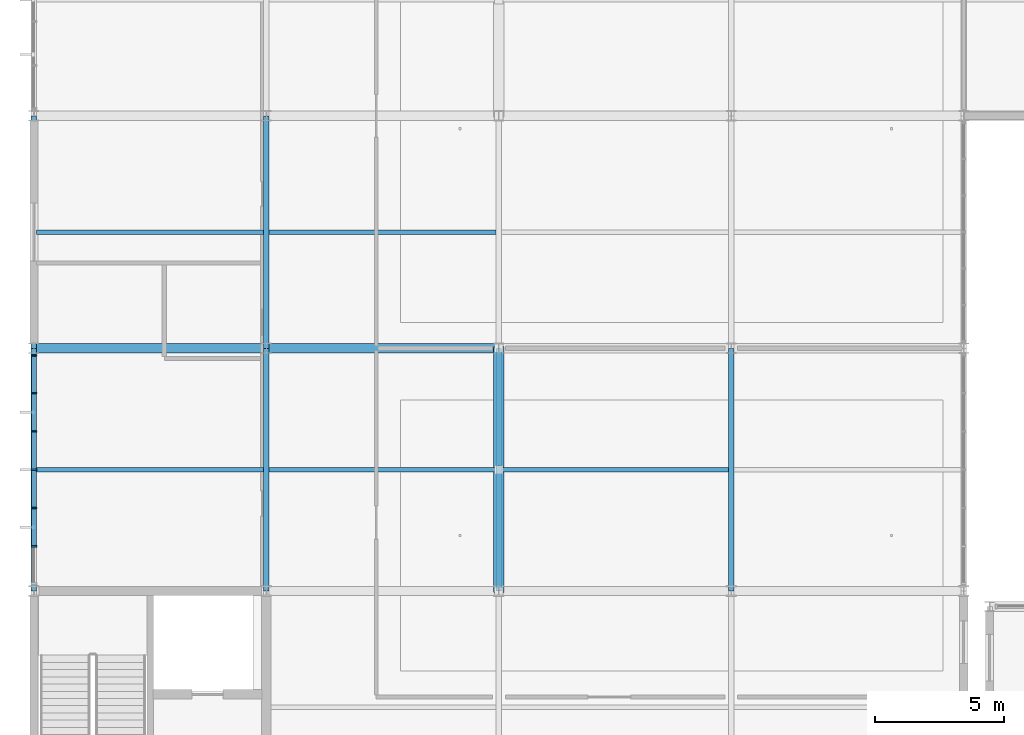
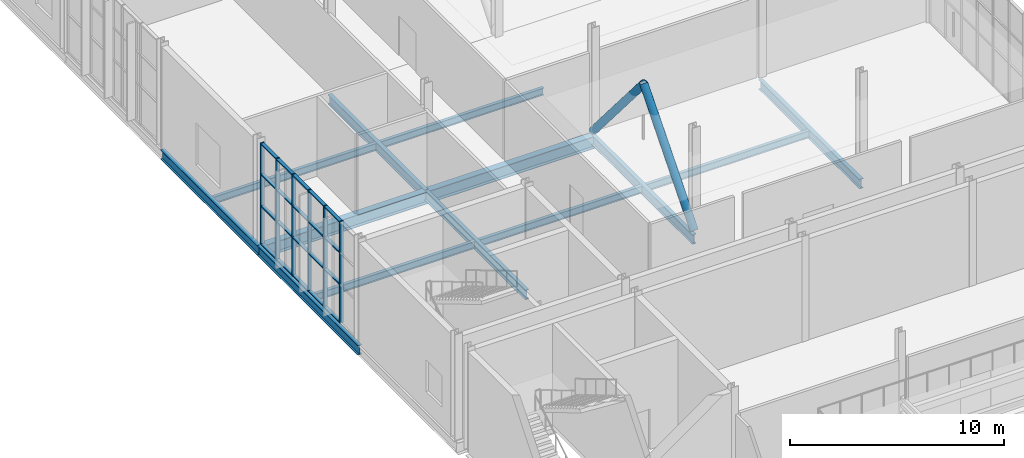
# One storey, part 47 of 159: 28 members, 13 beams, 1 element without a shape of its own.
"""IFC4 building model written with IfcOpenShell, lengths in metres."""

import ifcopenshell
import ifcopenshell.guid

model = None  # the IFC model being written
_history = None  # IfcOwnerHistory: only IFC2X3 demands one
_inside = {}  # id of a spatial element -> (the spatial element, [elements in it])
_under = {}  # id of a project, library or spatial element -> (it, [spatial elements below it])
_declared = {}  # id of a project -> (the project, [libraries it declares])
_typed = {}  # id of a type object -> (the type object, [elements of that type])
_made_of = {}  # id of a material, layer set ... -> (it, [elements and type objects made of it])


def new_model(schema):
    """Start an empty IFC model of exactly this schema.

    Asked for "IFC4X3", IfcOpenShell would pick the latest addendum, in which some entities
    have other attributes; the version numbers below select the first issue.
    IFC2X3 requires an IfcOwnerHistory on every rooted entity: one is made here for all.
    """
    global model, _history
    if schema == "IFC4X3":
        model = ifcopenshell.file(schema_version=(4, 3, 0, 0))
    else:
        model = ifcopenshell.file(schema=schema)
    _inside.clear()
    _under.clear()
    _declared.clear()
    _typed.clear()
    _made_of.clear()
    _history = None
    if model.schema == "IFC2X3":
        org = make("IfcOrganization", Name="unknown")
        user = make(
            "IfcPersonAndOrganization",
            ThePerson=make("IfcPerson", FamilyName="unknown"),
            TheOrganization=org,
        )
        app = make(
            "IfcApplication",
            ApplicationDeveloper=org,
            Version="unknown",
            ApplicationFullName="unknown",
            ApplicationIdentifier="unknown",
        )
        _history = make(
            "IfcOwnerHistory",
            OwningUser=user,
            OwningApplication=app,
            ChangeAction="ADDED",
            CreationDate=0,
        )
    return model


def make(cls, **values):
    """One entity of the class cls with the attributes given. An attribute that is None is left unset."""
    return model.create_entity(
        cls, **{name: value for name, value in values.items() if value is not None}
    )


def rooted(cls, **values):
    """An entity with a GlobalId (a new one), such as an element, a storey or a relation."""
    return make(cls, GlobalId=ifcopenshell.guid.new(), OwnerHistory=_history, **values)


def si_unit(unit_type, name, prefix=None):
    """IfcSIUnit, for example si_unit("LENGTHUNIT", "METRE", prefix="MILLI")."""
    return make("IfcSIUnit", UnitType=unit_type, Prefix=prefix, Name=name)


def assignment(units):
    """IfcUnitAssignment: the units of a project."""
    return None if units is None else make("IfcUnitAssignment", Units=units)


def point(xyz):
    """IfcCartesianPoint."""
    return None if xyz is None else make("IfcCartesianPoint", Coordinates=xyz)


def direction(xyz):
    """IfcDirection."""
    return None if xyz is None else make("IfcDirection", DirectionRatios=xyz)


def frame(location, z_axis=None, x_axis=None):
    """IfcAxis2Placement3D, a coordinate frame: its origin and axes. An axis left out is left unset."""
    return make(
        "IfcAxis2Placement3D",
        Location=point(location),
        Axis=direction(z_axis),
        RefDirection=direction(x_axis),
    )


def frame_2d(location, x_axis=None):
    """IfcAxis2Placement2D, a coordinate frame in the plane: its origin and x axis."""
    return make(
        "IfcAxis2Placement2D", Location=point(location), RefDirection=direction(x_axis)
    )


def origin():
    """The frame at (0, 0, 0) with its axes left unset."""
    return frame((0.0, 0.0, 0.0))


def origin_2d():
    """The frame at (0, 0) in the plane with its x axis left unset."""
    return frame_2d((0.0, 0.0))


def place(relative_to, where):
    """IfcLocalPlacement: puts the frame where relative to a parent placement (None: the world)."""
    return make(
        "IfcLocalPlacement", PlacementRelTo=relative_to, RelativePlacement=where
    )


def context(
    kind, dimensions, precision=None, world=None, true_north=None, identifier=None
):
    """IfcGeometricRepresentationContext, for example the 3D "Model" context."""
    return make(
        "IfcGeometricRepresentationContext",
        ContextIdentifier=identifier,
        ContextType=kind,
        CoordinateSpaceDimension=dimensions,
        Precision=precision,
        WorldCoordinateSystem=world,
        TrueNorth=true_north,
    )


def subcontext(parent, identifier, kind, view, scale=None):
    """IfcGeometricRepresentationSubContext, for example "Body" below "Model"."""
    return make(
        "IfcGeometricRepresentationSubContext",
        ContextIdentifier=identifier,
        ContextType=kind,
        ParentContext=parent,
        TargetScale=scale,
        TargetView=view,
    )


def project(units=None, contexts=None):
    """IfcProject with its units and contexts."""
    return rooted(
        "IfcProject",
        Name="project",
        RepresentationContexts=contexts,
        UnitsInContext=assignment(units),
    )


def spatial(cls, under=None, at=None, **own):
    """A site, building, storey or space (cls), placed at a placement, below another one or the project."""
    s = rooted(cls, ObjectPlacement=at, **own)
    if under is not None:
        _under.setdefault(under.id(), (under, []))[1].append(s)
    return s


def profile(cls, at=None, kind="AREA", **sizes):
    """A parametric profile (cls). Its sizes go by their IFC names, for example OverallWidth=200.0."""
    return make(cls, ProfileType=kind, Position=at, **sizes)


def rectangle(**sizes):
    """IfcRectangleProfileDef."""
    return profile("IfcRectangleProfileDef", **sizes)


def hollow_circle(**sizes):
    """IfcCircleHollowProfileDef."""
    return profile("IfcCircleHollowProfileDef", **sizes)


def i_section(**sizes):
    """IfcIShapeProfileDef."""
    return profile("IfcIShapeProfileDef", **sizes)


def extrude(swept, where, along, depth):
    """IfcExtrudedAreaSolid: the profile swept, set in the frame where, extruded along a direction by depth."""
    return make(
        "IfcExtrudedAreaSolid",
        SweptArea=swept,
        Position=where,
        ExtrudedDirection=direction(along),
        Depth=depth,
    )


def shape(context_of_items, identifier, shape_type, items):
    """IfcShapeRepresentation: the items that make up one representation, for example the "Body"."""
    return make(
        "IfcShapeRepresentation",
        ContextOfItems=context_of_items,
        RepresentationIdentifier=identifier,
        RepresentationType=shape_type,
        Items=items,
    )


def material(Name=None, Category=None):
    """IfcMaterial."""
    return make("IfcMaterial", Name=Name, Category=Category)


def layer(
    of_material, thickness, ventilated=None, Name=None, Category=None, Priority=None
):
    """IfcMaterialLayer: one layer of a wall or slab, of a material (None: an air gap)."""
    return make(
        "IfcMaterialLayer",
        Material=of_material,
        LayerThickness=thickness,
        IsVentilated=ventilated,
        Name=Name,
        Category=Category,
        Priority=Priority,
    )


def layer_set(layers, Name=None):
    """IfcMaterialLayerSet."""
    return make("IfcMaterialLayerSet", MaterialLayers=layers, LayerSetName=Name)


def material_profile(
    of_material, cross_section, Name=None, Category=None, Priority=None
):
    """IfcMaterialProfile: a cross section and its material."""
    return make(
        "IfcMaterialProfile",
        Name=Name,
        Material=of_material,
        Profile=cross_section,
        Priority=Priority,
        Category=Category,
    )


def profile_set(profiles, Name=None, composite=None):
    """IfcMaterialProfileSet."""
    return make(
        "IfcMaterialProfileSet",
        Name=Name,
        MaterialProfiles=profiles,
        CompositeProfile=composite,
    )


def made_of(thing, what):
    """Note that an element or type object is made of a material, layer set ...; save() writes the relation."""
    if what is not None:
        _made_of.setdefault(what.id(), (what, []))[1].append(thing)
    return thing


def type_object(cls, material=None, **own):
    """A type object (cls), such as IfcWallType, which elements share."""
    return made_of(rooted(cls, **own), material)


def element(
    cls,
    number,
    at=None,
    inside=None,
    cuts=None,
    type_object=None,
    material=None,
    context=None,
    identifier="Body",
    shape_type=None,
    held_by="IfcProductDefinitionShape",
    body=None,
    shapes=None,
    **own,
):
    """One element of the class cls, such as IfcWall. Its Tag is "e" and its number.

    at: its placement. inside: the storey or other place that contains it. cuts: it is an
    opening in that element (IfcRelVoidsElement). A single representation is given by context,
    identifier, shape_type and body (its items); several are given by shapes. held_by: the class
    of the entity that holds the representations. save() writes the other relations.
    """
    e = rooted(cls, Tag="e%d" % number, ObjectPlacement=at, **own)
    if body is not None:
        shapes = [shape(context, identifier, shape_type, body)]
    if shapes is not None:
        e.Representation = make(held_by, Representations=shapes)
    if inside is not None:
        _inside.setdefault(inside.id(), (inside, []))[1].append(e)
    if cuts is not None:
        rooted(
            "IfcRelVoidsElement", RelatingBuildingElement=cuts, RelatedOpeningElement=e
        )
    if type_object is not None:
        _typed.setdefault(type_object.id(), (type_object, []))[1].append(e)
    return made_of(e, material)


def aggregate(whole, parts):
    """IfcRelAggregates: a whole, such as a stair, and the parts it consists of."""
    return rooted("IfcRelAggregates", RelatingObject=whole, RelatedObjects=parts)


def save(model, path):
    """Write the relations noted so far, then the file.

    IfcRelAggregates (storeys below a building ...), IfcRelContainedInSpatialStructure (elements
    in a storey), IfcRelDefinesByType, IfcRelAssociatesMaterial and IfcRelDeclares: one each for
    every whole, place, type object, material and project.
    """
    for whole, parts in _under.values():
        aggregate(whole, parts)
    for where, things in _inside.values():
        rooted(
            "IfcRelContainedInSpatialStructure",
            RelatedElements=things,
            RelatingStructure=where,
        )
    for kind, things in _typed.values():
        rooted("IfcRelDefinesByType", RelatedObjects=things, RelatingType=kind)
    for what, things in _made_of.values():
        rooted("IfcRelAssociatesMaterial", RelatedObjects=things, RelatingMaterial=what)
    for by, libraries in _declared.values():
        rooted("IfcRelDeclares", RelatingContext=by, RelatedDefinitions=libraries)
    model.write(path)


model = new_model("IFC4")

# Units and contexts
model_context = context("Model", 3, precision=1e-05, world=origin(), true_north=direction((0.0, 1.0)))
body_context = subcontext(model_context, "Body", "Model", "MODEL_VIEW")
ifc_project = project(units=[si_unit("LENGTHUNIT", "METRE"), si_unit("AREAUNIT", "SQUARE_METRE"), si_unit("VOLUMEUNIT", "CUBIC_METRE"), si_unit("PLANEANGLEUNIT", "RADIAN"), si_unit("MASSUNIT", "GRAM", prefix="KILO")], contexts=[model_context])

# Site, building, storey
site_placement = place(None, origin())
site = spatial("IfcSite", under=ifc_project, at=site_placement, CompositionType="ELEMENT")
building_placement = place(site_placement, origin())
building = spatial("IfcBuilding", under=site, at=building_placement, Name="Cazmaro Siding Exhibition Halls", CompositionType="ELEMENT")
storey_placement = place(building_placement, frame((0.0, 0.0, 6.0)))
storey = spatial("IfcBuildingStorey", under=building, at=storey_placement, Name="L01", CompositionType="ELEMENT", Elevation=6.0)

# Beams
ifc_material_1 = material(Name="Steel ASTM A992 Grade 50", Category="steel")
ifc_material_profile_1 = material_profile(ifc_material_1, i_section(OverallWidth=0.214111328125, OverallDepth=0.549072265625, WebThickness=0.014892578125, FlangeThickness=0.02392578125, at=origin_2d()), Name="W21X93")
ifc_profile_set_1 = profile_set([ifc_material_profile_1], Name="Steel ASTM A992 Grade 50")
beam_type_1 = type_object("IfcBeamType", Name="B-01", PredefinedType="BEAM", material=ifc_profile_set_1)
beam_1_placement = place(storey_placement, frame((0.0, 63.60009765625, -0.493896484375), z_axis=(0.0, 1.0, 0.0), x_axis=(-1.0, 0.0, 0.0)))
element("IfcBeam", 1, at=beam_1_placement, inside=storey, type_object=beam_type_1, Name="Beam B-01 BM-1995", PredefinedType="BEAM", context=body_context, shape_type="SweptSolid", body=[
    extrude(i_section(OverallWidth=0.214111328125, OverallDepth=0.549072265625, WebThickness=0.014892578125, FlangeThickness=0.02392578125, at=origin_2d()), origin(), (0.0, 0.0, 1.0), 9.39990234375),
])
beam_2_placement = place(storey_placement, frame((0.0, 73.0, -0.493896484375), z_axis=(0.0, 1.0, 0.0), x_axis=(-1.0, 0.0, 0.0)))
element("IfcBeam", 2, at=beam_2_placement, inside=storey, type_object=beam_type_1, Name="Beam B-01 BM-1996", PredefinedType="BEAM", context=body_context, shape_type="SweptSolid", body=[
    extrude(i_section(OverallWidth=0.214111328125, OverallDepth=0.549072265625, WebThickness=0.014892578125, FlangeThickness=0.02392578125, at=origin_2d()), origin(), (0.0, 0.0, 1.0), 9.0),
])
beam_3_placement = place(storey_placement, frame((9.0, 63.60009765625, -0.493896484375), z_axis=(0.0, 1.0, 0.0), x_axis=(-1.0, 0.0, 0.0)))
element("IfcBeam", 3, at=beam_3_placement, inside=storey, type_object=beam_type_1, Name="Beam B-01 BM-2003", PredefinedType="BEAM", context=body_context, shape_type="SweptSolid", body=[
    extrude(i_section(OverallWidth=0.214111328125, OverallDepth=0.549072265625, WebThickness=0.014892578125, FlangeThickness=0.02392578125, at=origin_2d()), origin(), (0.0, 0.0, 1.0), 9.39990234375),
])
beam_4_placement = place(storey_placement, frame((9.0, 73.0, -0.493896484375), z_axis=(0.0, 1.0, 0.0), x_axis=(-1.0, 0.0, 0.0)))
element("IfcBeam", 4, at=beam_4_placement, inside=storey, type_object=beam_type_1, Name="Beam B-01 BM-2004", PredefinedType="BEAM", context=body_context, shape_type="SweptSolid", body=[
    extrude(i_section(OverallWidth=0.214111328125, OverallDepth=0.549072265625, WebThickness=0.014892578125, FlangeThickness=0.02392578125, at=origin_2d()), origin(), (0.0, 0.0, 1.0), 9.0),
])
for number, where, z_axis, x_axis, name in (
    (5, (18.0, 63.60009765625, -0.493896484375), (0.0, 1.0, 0.0), (-1.0, 0.0, 0.0), "Beam B-01 BM-2011"),
    (6, (27.0, 63.60009765625, -0.493896484375), (0.0, 1.0, 0.0), (-1.0, 0.0, 0.0), "Beam B-01 BM-2019"),
):
    element("IfcBeam", number, at=place(storey_placement, frame(where, z_axis=z_axis, x_axis=x_axis)), inside=storey, type_object=beam_type_1, Name=name, PredefinedType="BEAM", context=body_context, shape_type="SweptSolid", body=[
        extrude(i_section(OverallWidth=0.214111328125, OverallDepth=0.549072265625, WebThickness=0.014892578125, FlangeThickness=0.02392578125, at=origin_2d()), origin(), (0.0, 0.0, 1.0), 9.39990234375),
    ])

# Curtain wall, members
ifc_material_2 = material(Name="Anodized Bronze Aluminum and Solar-Control Low-E Glazing", Category="aluminium")
ifc_layer = layer(ifc_material_2, 0.199951171875)
ifc_layer_set = layer_set([ifc_layer], Name="Anodized Bronze Aluminum and Solar-Control Low-E Glazing")
curtain_wall_type = type_object("IfcCurtainWallType", Name="CWS-02", PredefinedType="USERDEFINED", material=ifc_layer_set)
curtain_wall_placement = place(storey_placement, origin())
curtain_wall = element("IfcCurtainWall", 7, at=curtain_wall_placement, inside=storey, type_object=curtain_wall_type, Name="Glazed Curtain Wall CWS-02 CW-230", ObjectType="GLAZED CURTAIN WALL", PredefinedType="USERDEFINED")
ifc_material_3 = material(Name="Anodized Bronze Extruded Aluminum", Category="aluminium")
ifc_material_profile_2 = material_profile(ifc_material_3, rectangle(XDim=0.199951171875, YDim=0.06494140625, at=origin_2d()), Name="CWM-02")
ifc_profile_set_2 = profile_set([ifc_material_profile_2], Name="Anodized Bronze Extruded Aluminum")
member_type_1 = type_object("IfcMemberType", Name="CWM-02", PredefinedType="MULLION", material=ifc_profile_set_2)
member_1_placement = place(storey_placement, frame((0.0, 72.714599609375, 0.0), z_axis=(0.0, 0.0, 1.0), x_axis=(1.0, 0.0, 0.0)))
member_1 = element("IfcMember", 8, at=member_1_placement, type_object=member_type_1, Name="CWS-02 mullion 1", PredefinedType="MULLION", context=body_context, shape_type="SweptSolid", body=[
    extrude(rectangle(XDim=0.199951171875, YDim=0.06494140625, at=origin_2d()), origin(), (0.0, 0.0, 1.0), 5.780029296875),
])
member_2_placement = place(storey_placement, frame((0.0, 71.2646484375, 0.0), z_axis=(0.0, 0.0, 1.0), x_axis=(1.0, 0.0, 0.0)))
member_2 = element("IfcMember", 9, at=member_2_placement, type_object=member_type_1, Name="CWS-02 mullion 2", PredefinedType="MULLION", context=body_context, shape_type="SweptSolid", body=[
    extrude(rectangle(XDim=0.199951171875, YDim=0.06494140625, at=origin_2d()), origin(), (0.0, 0.0, 1.0), 5.780029296875),
])
member_3_placement = place(storey_placement, frame((0.0, 69.7822265625, 0.0), z_axis=(0.0, 0.0, 1.0), x_axis=(1.0, 0.0, 0.0)))
member_3 = element("IfcMember", 10, at=member_3_placement, type_object=member_type_1, Name="CWS-02 mullion 3", PredefinedType="MULLION", context=body_context, shape_type="SweptSolid", body=[
    extrude(rectangle(XDim=0.199951171875, YDim=0.06494140625, at=origin_2d()), origin(), (0.0, 0.0, 1.0), 5.780029296875),
])
member_4_placement = place(storey_placement, frame((0.0, 68.300048828125, 0.0), z_axis=(0.0, 0.0, 1.0), x_axis=(1.0, 0.0, 0.0)))
member_4 = element("IfcMember", 11, at=member_4_placement, type_object=member_type_1, Name="CWS-02 mullion 4", PredefinedType="MULLION", context=body_context, shape_type="SweptSolid", body=[
    extrude(rectangle(XDim=0.199951171875, YDim=0.06494140625, at=origin_2d()), origin(), (0.0, 0.0, 1.0), 5.780029296875),
])
member_5_placement = place(storey_placement, frame((0.0, 66.817626953125, 0.0), z_axis=(0.0, 0.0, 1.0), x_axis=(1.0, 0.0, 0.0)))
member_5 = element("IfcMember", 12, at=member_5_placement, type_object=member_type_1, Name="CWS-02 mullion 5", PredefinedType="MULLION", context=body_context, shape_type="SweptSolid", body=[
    extrude(rectangle(XDim=0.199951171875, YDim=0.06494140625, at=origin_2d()), origin(), (0.0, 0.0, 1.0), 5.780029296875),
])
member_6_placement = place(storey_placement, frame((0.0, 65.33544921875, 0.0), z_axis=(0.0, 0.0, 1.0), x_axis=(1.0, 0.0, 0.0)))
member_6 = element("IfcMember", 13, at=member_6_placement, type_object=member_type_1, Name="CWS-02 mullion 6", PredefinedType="MULLION", context=body_context, shape_type="SweptSolid", body=[
    extrude(rectangle(XDim=0.199951171875, YDim=0.06494140625, at=origin_2d()), origin(), (0.0, 0.0, 1.0), 5.780029296875),
])
ifc_material_4 = material(Name="Anodized Bronze Extruded Aluminum", Category="aluminium")
ifc_material_profile_3 = material_profile(ifc_material_4, rectangle(XDim=0.179931640625, YDim=0.06494140625, at=origin_2d()), Name="CWT-02")
ifc_profile_set_3 = profile_set([ifc_material_profile_3], Name="Anodized Bronze Extruded Aluminum")
member_type_2 = type_object("IfcMemberType", Name="CWT-02", PredefinedType="MULLION", material=ifc_profile_set_3)
member_7_placement = place(storey_placement, frame((0.0, 72.681884765625, 0.032470703125), z_axis=(0.0, -1.0, 0.0), x_axis=(1.0, 0.0, 0.0)))
member_7 = element("IfcMember", 14, at=member_7_placement, type_object=member_type_2, Name="CWS-02 transom 1.1", ObjectType="TRANSOM", PredefinedType="USERDEFINED", context=body_context, shape_type="SweptSolid", body=[
    extrude(rectangle(XDim=0.179931640625, YDim=0.06494140625, at=origin_2d()), origin(), (0.0, 0.0, 1.0), 1.384765625),
])
member_8_placement = place(storey_placement, frame((0.0, 72.681884765625, 2.199951171875), z_axis=(0.0, -1.0, 0.0), x_axis=(1.0, 0.0, 0.0)))
member_8 = element("IfcMember", 15, at=member_8_placement, type_object=member_type_2, Name="CWS-02 transom 1.2", ObjectType="TRANSOM", PredefinedType="USERDEFINED", context=body_context, shape_type="SweptSolid", body=[
    extrude(rectangle(XDim=0.179931640625, YDim=0.06494140625, at=origin_2d()), origin(), (0.0, 0.0, 1.0), 1.384765625),
])
member_9_placement = place(storey_placement, frame((0.0, 72.681884765625, 4.0), z_axis=(0.0, -1.0, 0.0), x_axis=(1.0, 0.0, 0.0)))
member_9 = element("IfcMember", 16, at=member_9_placement, type_object=member_type_2, Name="CWS-02 transom 1.3", ObjectType="TRANSOM", PredefinedType="USERDEFINED", context=body_context, shape_type="SweptSolid", body=[
    extrude(rectangle(XDim=0.179931640625, YDim=0.06494140625, at=origin_2d()), origin(), (0.0, 0.0, 1.0), 1.384765625),
])
member_10_placement = place(storey_placement, frame((0.0, 72.681884765625, 5.74755859375), z_axis=(0.0, -1.0, 0.0), x_axis=(1.0, 0.0, 0.0)))
member_10 = element("IfcMember", 17, at=member_10_placement, type_object=member_type_2, Name="CWS-02 transom 1.4", ObjectType="TRANSOM", PredefinedType="USERDEFINED", context=body_context, shape_type="SweptSolid", body=[
    extrude(rectangle(XDim=0.179931640625, YDim=0.06494140625, at=origin_2d()), origin(), (0.0, 0.0, 1.0), 1.384765625),
])
member_11_placement = place(storey_placement, frame((0.0, 71.232177734375, 0.032470703125), z_axis=(0.0, -1.0, 0.0), x_axis=(1.0, 0.0, 0.0)))
member_11 = element("IfcMember", 18, at=member_11_placement, type_object=member_type_2, Name="CWS-02 transom 2.1", ObjectType="TRANSOM", PredefinedType="USERDEFINED", context=body_context, shape_type="SweptSolid", body=[
    extrude(rectangle(XDim=0.179931640625, YDim=0.06494140625, at=origin_2d()), origin(), (0.0, 0.0, 1.0), 1.417236328125),
])
member_12_placement = place(storey_placement, frame((0.0, 71.232177734375, 2.199951171875), z_axis=(0.0, -1.0, 0.0), x_axis=(1.0, 0.0, 0.0)))
member_12 = element("IfcMember", 19, at=member_12_placement, type_object=member_type_2, Name="CWS-02 transom 2.2", ObjectType="TRANSOM", PredefinedType="USERDEFINED", context=body_context, shape_type="SweptSolid", body=[
    extrude(rectangle(XDim=0.179931640625, YDim=0.06494140625, at=origin_2d()), origin(), (0.0, 0.0, 1.0), 1.417236328125),
])
member_13_placement = place(storey_placement, frame((0.0, 71.232177734375, 4.0), z_axis=(0.0, -1.0, 0.0), x_axis=(1.0, 0.0, 0.0)))
member_13 = element("IfcMember", 20, at=member_13_placement, type_object=member_type_2, Name="CWS-02 transom 2.3", ObjectType="TRANSOM", PredefinedType="USERDEFINED", context=body_context, shape_type="SweptSolid", body=[
    extrude(rectangle(XDim=0.179931640625, YDim=0.06494140625, at=origin_2d()), origin(), (0.0, 0.0, 1.0), 1.417236328125),
])
member_14_placement = place(storey_placement, frame((0.0, 71.232177734375, 5.74755859375), z_axis=(0.0, -1.0, 0.0), x_axis=(1.0, 0.0, 0.0)))
member_14 = element("IfcMember", 21, at=member_14_placement, type_object=member_type_2, Name="CWS-02 transom 2.4", ObjectType="TRANSOM", PredefinedType="USERDEFINED", context=body_context, shape_type="SweptSolid", body=[
    extrude(rectangle(XDim=0.179931640625, YDim=0.06494140625, at=origin_2d()), origin(), (0.0, 0.0, 1.0), 1.417236328125),
])
member_15_placement = place(storey_placement, frame((0.0, 69.749755859375, 0.032470703125), z_axis=(0.0, -1.0, 0.0), x_axis=(1.0, 0.0, 0.0)))
member_15 = element("IfcMember", 22, at=member_15_placement, type_object=member_type_2, Name="CWS-02 transom 3.1", ObjectType="TRANSOM", PredefinedType="USERDEFINED", context=body_context, shape_type="SweptSolid", body=[
    extrude(rectangle(XDim=0.179931640625, YDim=0.06494140625, at=origin_2d()), origin(), (0.0, 0.0, 1.0), 1.417236328125),
])
member_16_placement = place(storey_placement, frame((0.0, 69.749755859375, 2.199951171875), z_axis=(0.0, -1.0, 0.0), x_axis=(1.0, 0.0, 0.0)))
member_16 = element("IfcMember", 23, at=member_16_placement, type_object=member_type_2, Name="CWS-02 transom 3.2", ObjectType="TRANSOM", PredefinedType="USERDEFINED", context=body_context, shape_type="SweptSolid", body=[
    extrude(rectangle(XDim=0.179931640625, YDim=0.06494140625, at=origin_2d()), origin(), (0.0, 0.0, 1.0), 1.417236328125),
])
member_17_placement = place(storey_placement, frame((0.0, 69.749755859375, 4.0), z_axis=(0.0, -1.0, 0.0), x_axis=(1.0, 0.0, 0.0)))
member_17 = element("IfcMember", 24, at=member_17_placement, type_object=member_type_2, Name="CWS-02 transom 3.3", ObjectType="TRANSOM", PredefinedType="USERDEFINED", context=body_context, shape_type="SweptSolid", body=[
    extrude(rectangle(XDim=0.179931640625, YDim=0.06494140625, at=origin_2d()), origin(), (0.0, 0.0, 1.0), 1.417236328125),
])
member_18_placement = place(storey_placement, frame((0.0, 69.749755859375, 5.74755859375), z_axis=(0.0, -1.0, 0.0), x_axis=(1.0, 0.0, 0.0)))
member_18 = element("IfcMember", 25, at=member_18_placement, type_object=member_type_2, Name="CWS-02 transom 3.4", ObjectType="TRANSOM", PredefinedType="USERDEFINED", context=body_context, shape_type="SweptSolid", body=[
    extrude(rectangle(XDim=0.179931640625, YDim=0.06494140625, at=origin_2d()), origin(), (0.0, 0.0, 1.0), 1.417236328125),
])
member_19_placement = place(storey_placement, frame((0.0, 68.267578125, 0.032470703125), z_axis=(0.0, -1.0, 0.0), x_axis=(1.0, 0.0, 0.0)))
member_19 = element("IfcMember", 26, at=member_19_placement, type_object=member_type_2, Name="CWS-02 transom 4.1", ObjectType="TRANSOM", PredefinedType="USERDEFINED", context=body_context, shape_type="SweptSolid", body=[
    extrude(rectangle(XDim=0.179931640625, YDim=0.06494140625, at=origin_2d()), origin(), (0.0, 0.0, 1.0), 1.41748046875),
])
member_20_placement = place(storey_placement, frame((0.0, 68.267578125, 2.199951171875), z_axis=(0.0, -1.0, 0.0), x_axis=(1.0, 0.0, 0.0)))
member_20 = element("IfcMember", 27, at=member_20_placement, type_object=member_type_2, Name="CWS-02 transom 4.2", ObjectType="TRANSOM", PredefinedType="USERDEFINED", context=body_context, shape_type="SweptSolid", body=[
    extrude(rectangle(XDim=0.179931640625, YDim=0.06494140625, at=origin_2d()), origin(), (0.0, 0.0, 1.0), 1.41748046875),
])
member_21_placement = place(storey_placement, frame((0.0, 68.267578125, 4.0), z_axis=(0.0, -1.0, 0.0), x_axis=(1.0, 0.0, 0.0)))
member_21 = element("IfcMember", 28, at=member_21_placement, type_object=member_type_2, Name="CWS-02 transom 4.3", ObjectType="TRANSOM", PredefinedType="USERDEFINED", context=body_context, shape_type="SweptSolid", body=[
    extrude(rectangle(XDim=0.179931640625, YDim=0.06494140625, at=origin_2d()), origin(), (0.0, 0.0, 1.0), 1.41748046875),
])
member_22_placement = place(storey_placement, frame((0.0, 68.267578125, 5.74755859375), z_axis=(0.0, -1.0, 0.0), x_axis=(1.0, 0.0, 0.0)))
member_22 = element("IfcMember", 29, at=member_22_placement, type_object=member_type_2, Name="CWS-02 transom 4.4", ObjectType="TRANSOM", PredefinedType="USERDEFINED", context=body_context, shape_type="SweptSolid", body=[
    extrude(rectangle(XDim=0.179931640625, YDim=0.06494140625, at=origin_2d()), origin(), (0.0, 0.0, 1.0), 1.41748046875),
])
member_23_placement = place(storey_placement, frame((0.0, 66.78515625, 0.032470703125), z_axis=(0.0, -1.0, 0.0), x_axis=(1.0, 0.0, 0.0)))
member_23 = element("IfcMember", 30, at=member_23_placement, type_object=member_type_2, Name="CWS-02 transom 5.1", ObjectType="TRANSOM", PredefinedType="USERDEFINED", context=body_context, shape_type="SweptSolid", body=[
    extrude(rectangle(XDim=0.179931640625, YDim=0.06494140625, at=origin_2d()), origin(), (0.0, 0.0, 1.0), 1.417236328125),
])
member_24_placement = place(storey_placement, frame((0.0, 66.78515625, 2.199951171875), z_axis=(0.0, -1.0, 0.0), x_axis=(1.0, 0.0, 0.0)))
member_24 = element("IfcMember", 31, at=member_24_placement, type_object=member_type_2, Name="CWS-02 transom 5.2", ObjectType="TRANSOM", PredefinedType="USERDEFINED", context=body_context, shape_type="SweptSolid", body=[
    extrude(rectangle(XDim=0.179931640625, YDim=0.06494140625, at=origin_2d()), origin(), (0.0, 0.0, 1.0), 1.417236328125),
])
member_25_placement = place(storey_placement, frame((0.0, 66.78515625, 4.0), z_axis=(0.0, -1.0, 0.0), x_axis=(1.0, 0.0, 0.0)))
member_25 = element("IfcMember", 32, at=member_25_placement, type_object=member_type_2, Name="CWS-02 transom 5.3", ObjectType="TRANSOM", PredefinedType="USERDEFINED", context=body_context, shape_type="SweptSolid", body=[
    extrude(rectangle(XDim=0.179931640625, YDim=0.06494140625, at=origin_2d()), origin(), (0.0, 0.0, 1.0), 1.417236328125),
])
member_26_placement = place(storey_placement, frame((0.0, 66.78515625, 5.74755859375), z_axis=(0.0, -1.0, 0.0), x_axis=(1.0, 0.0, 0.0)))
member_26 = element("IfcMember", 33, at=member_26_placement, type_object=member_type_2, Name="CWS-02 transom 5.4", ObjectType="TRANSOM", PredefinedType="USERDEFINED", context=body_context, shape_type="SweptSolid", body=[
    extrude(rectangle(XDim=0.179931640625, YDim=0.06494140625, at=origin_2d()), origin(), (0.0, 0.0, 1.0), 1.417236328125),
])
aggregate(curtain_wall, [member_1, member_2, member_3, member_4, member_5, member_6, member_7, member_8, member_9, member_10, member_11, member_12, member_13, member_14, member_15, member_16, member_17, member_18, member_19, member_20, member_21, member_22, member_23, member_24, member_25, member_26])

# Beams
ifc_material_5 = material(Name="Steel ASTM A992 Grade 50", Category="steel")
ifc_material_profile_4 = material_profile(ifc_material_5, i_section(OverallWidth=0.35595703125, OverallDepth=0.696044921875, WebThickness=0.014892578125, FlangeThickness=0.02490234375, at=origin_2d()), Name="W27X146")
ifc_profile_set_4 = profile_set([ifc_material_profile_4], Name="Steel ASTM A992 Grade 50")
beam_type_2 = type_object("IfcBeamType", Name="G-05", PredefinedType="USERDEFINED", material=ifc_profile_set_4)
for number, where, z_axis, x_axis, name in (
    (34, (0.0, 73.0, -0.568115234375), (1.0, 0.0, 0.0), (0.0, 1.0, 0.0), "Beam G-05 BM-1929"),
    (35, (9.0, 73.0, -0.568115234375), (1.0, 0.0, 0.0), (0.0, 1.0, 0.0), "Beam G-05 BM-1944"),
):
    element("IfcBeam", number, at=place(storey_placement, frame(where, z_axis=z_axis, x_axis=x_axis)), inside=storey, type_object=beam_type_2, Name=name, ObjectType="GIRDER", PredefinedType="USERDEFINED", context=body_context, shape_type="SweptSolid", body=[
        extrude(i_section(OverallWidth=0.35595703125, OverallDepth=0.696044921875, WebThickness=0.014892578125, FlangeThickness=0.02490234375, at=origin_2d()), origin(), (0.0, 0.0, 1.0), 9.0),
    ])
ifc_material_6 = material(Name="Steel ASTM A992 Grade 50", Category="steel")
ifc_material_profile_5 = material_profile(ifc_material_6, i_section(OverallWidth=0.177978515625, OverallDepth=0.406005859375, WebThickness=0.008056640625, FlangeThickness=0.012939453125, at=origin_2d()), Name="W16X40")
ifc_profile_set_5 = profile_set([ifc_material_profile_5], Name="Steel ASTM A992 Grade 50")
beam_type_3 = type_object("IfcBeamType", Name="J-02", PredefinedType="JOIST", material=ifc_profile_set_5)
for number, where, z_axis, x_axis, name in (
    (36, (0.10693359375, 68.300048828125, -0.423095703125), (1.0, 0.0, 0.0), (0.0, 1.0, 0.0), "Beam J-02 BM-1936"),
    (37, (0.10693359375, 77.5, -0.423095703125), (1.0, 0.0, 0.0), (0.0, 1.0, 0.0), "Beam J-02 BM-1937"),
    (38, (9.10693359375, 68.300048828125, -0.423095703125), (1.0, 0.0, 0.0), (0.0, 1.0, 0.0), "Beam J-02 BM-1952"),
    (39, (9.10693359375, 77.5, -0.423095703125), (1.0, 0.0, 0.0), (0.0, 1.0, 0.0), "Beam J-02 BM-1953"),
    (40, (18.10693359375, 68.300048828125, -0.423095703125), (1.0, 0.0, 0.0), (0.0, 1.0, 0.0), "Beam J-02 BM-1970"),
):
    element("IfcBeam", number, at=place(storey_placement, frame(where, z_axis=z_axis, x_axis=x_axis)), inside=storey, type_object=beam_type_3, Name=name, PredefinedType="JOIST", context=body_context, shape_type="SweptSolid", body=[
        extrude(i_section(OverallWidth=0.177978515625, OverallDepth=0.406005859375, WebThickness=0.008056640625, FlangeThickness=0.012939453125, at=origin_2d()), origin(), (0.0, 0.0, 1.0), 8.7861328125),
    ])

# Members
ifc_material_7 = material(Name="Steel ASTM A500 Grade C", Category="steel")
ifc_material_profile_6 = material_profile(ifc_material_7, hollow_circle(Radius=0.202880859375, WallThickness=0.012939453125, at=origin_2d()), Name="PIPE16XS")
ifc_profile_set_6 = profile_set([ifc_material_profile_6], Name="Steel ASTM A500 Grade C")
member_type_3 = type_object("IfcMemberType", Name="WB-04", PredefinedType="BRACE", material=ifc_profile_set_6)
for number, where, z_axis, x_axis, name in (
    (41, (18.0, 63.60009765625, 0.0), (0.0, 0.648832407434, 0.760931341885), (-1.0, 0.0, 0.0), "BRBF lateral brace WB-04 MEM-3434"),
    (42, (18.0, 73.0, 0.0), (0.0, -0.648832407434, 0.760931341885), (1.0, 0.0, 0.0), "BRBF lateral brace WB-04 MEM-3435"),
):
    element("IfcMember", number, at=place(storey_placement, frame(where, z_axis=z_axis, x_axis=x_axis)), inside=storey, type_object=member_type_3, Name=name, PredefinedType="BRACE", context=body_context, shape_type="SweptSolid", body=[
        extrude(hollow_circle(Radius=0.202880859375, WallThickness=0.012939453125, at=origin_2d()), origin(), (0.0, 0.0, 1.0), 7.24365234375),
    ])

save(model, "model.ifc")
